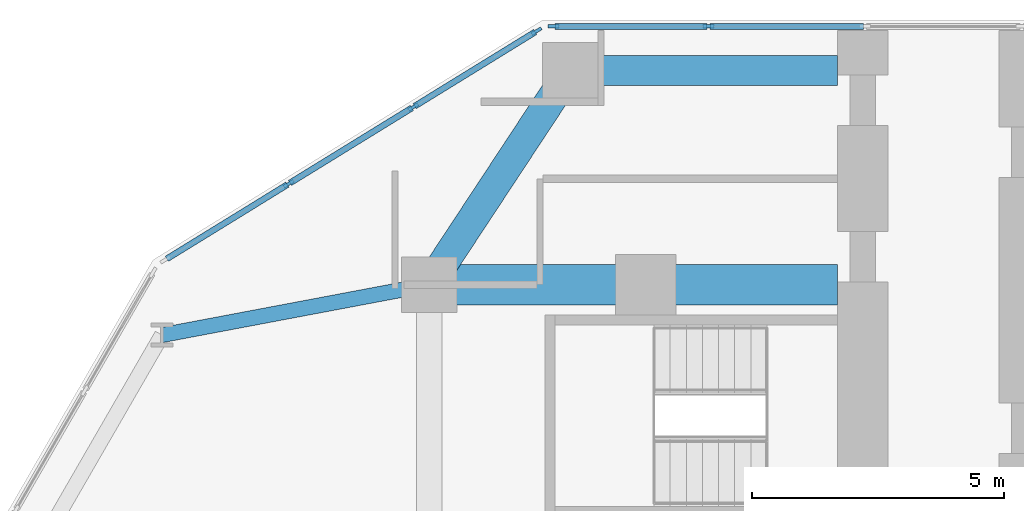
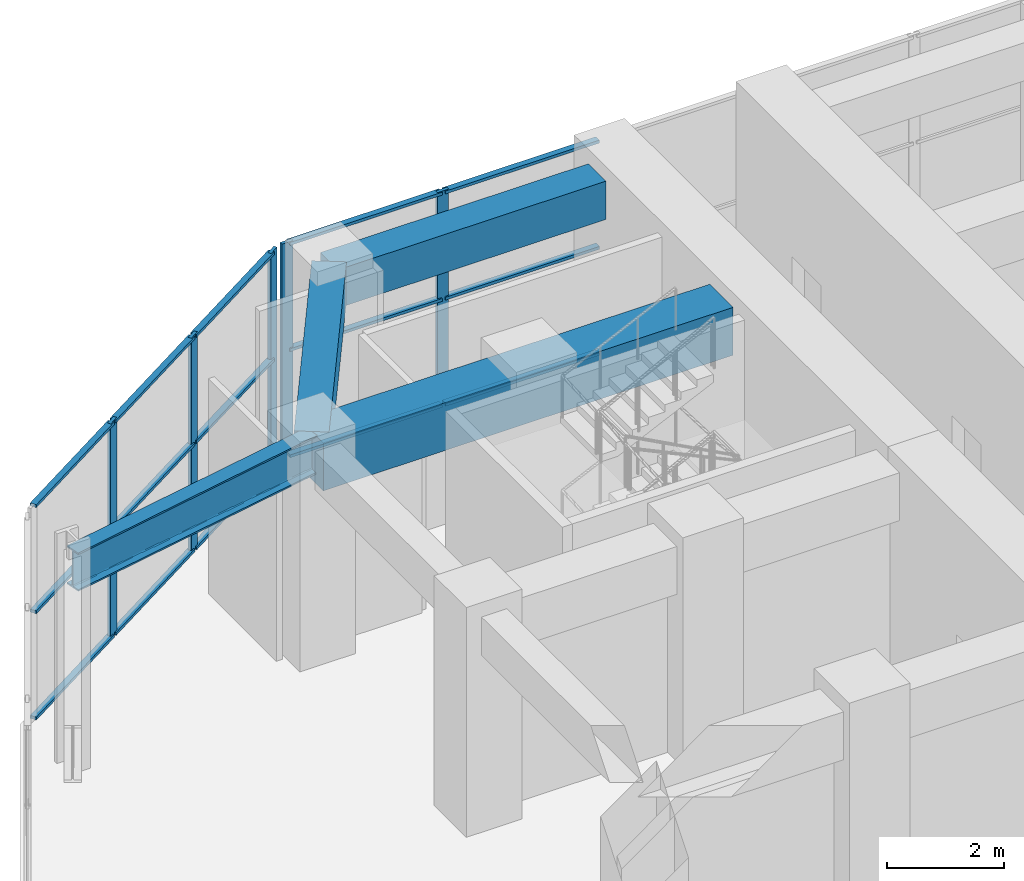
# One storey, part 8 of 21: 20 members, 4 beams, 2 elements without a shape of their own.
"""IFC4 building model written with IfcOpenShell, lengths in metres."""

from ifc_helpers import new_model, si_unit, direction, frame, origin, origin_2d, place, context, subcontext, project, spatial, rectangle, i_section, extrude, material, material_profile, profile_set, type_object, element, aggregate, save


model = new_model("IFC4")

# Units and contexts
model_context = context("Model", 3, precision=1e-05, world=origin(), true_north=direction((0.0, 1.0)))
body_context = subcontext(model_context, "Body", "Model", "MODEL_VIEW")
ifc_project = project(units=[si_unit("LENGTHUNIT", "METRE"), si_unit("AREAUNIT", "SQUARE_METRE"), si_unit("VOLUMEUNIT", "CUBIC_METRE"), si_unit("PLANEANGLEUNIT", "RADIAN"), si_unit("MASSUNIT", "GRAM", prefix="KILO")], contexts=[model_context])

# Site, building, storey
site_placement = place(None, origin())
site = spatial("IfcSite", under=ifc_project, at=site_placement, CompositionType="ELEMENT")
building_placement = place(site_placement, origin())
building = spatial("IfcBuilding", under=site, at=building_placement, Name="Kosmar Iwan School Tower", CompositionType="ELEMENT")
storey_placement = place(building_placement, frame((0.0, 0.0, 6.0)))
storey = spatial("IfcBuildingStorey", under=building, at=storey_placement, Name="L01", CompositionType="ELEMENT", Elevation=6.0)

# Beam
ifc_material_1 = material(Name="Steel S355", Category="steel")
ifc_material_profile_1 = material_profile(ifc_material_1, i_section(OverallWidth=0.300048828125, OverallDepth=0.800048828125, WebThickness=0.017578125, FlangeThickness=0.032958984375, FilletRadius=0.030029296875, at=origin_2d()), Name="HE 800 B")
ifc_profile_set_1 = profile_set([ifc_material_profile_1], Name="Steel S355")
beam_type_1 = type_object("IfcBeamType", Name="Infill edge beam HE 800 B", PredefinedType="BEAM", material=ifc_profile_set_1)
beam_1_placement = place(storey_placement, frame((-15.502197265625, 28.34912109375, 4.10009765625), z_axis=(0.982642984394, 0.185506779446, 0.0), x_axis=(-0.185506779446, 0.982642984394, 0.0)))
element("IfcBeam", 1, at=beam_1_placement, inside=storey, type_object=beam_type_1, Name="Infill edge beam AB5", PredefinedType="BEAM", context=body_context, shape_type="SweptSolid", body=[
    extrude(i_section(OverallWidth=0.300048828125, OverallDepth=0.800048828125, WebThickness=0.017578125, FlangeThickness=0.032958984375, FilletRadius=0.030029296875, at=origin_2d()), origin(), (0.0, 0.0, 1.0), 5.39599609375),
])

# Curtain wall, members
ifc_material_2 = material(Name="Dark glass in black aluminium frame", Category="aluminium")
curtain_wall_type_1 = type_object("IfcCurtainWallType", Name="Tower curtain wall dark glass", PredefinedType="USERDEFINED", material=ifc_material_2)
curtain_wall_1_placement = place(storey_placement, origin())
curtain_wall_1 = element("IfcCurtainWall", 2, at=curtain_wall_1_placement, inside=storey, type_object=curtain_wall_type_1, Name="Curtain wall L01-F06", ObjectType="UNITISED CURTAIN WALL", PredefinedType="USERDEFINED")
ifc_material_3 = material(Name="Black anodised aluminium", Category="aluminium")
ifc_material_profile_2 = material_profile(ifc_material_3, rectangle(XDim=0.06494140625, YDim=0.219970703125, at=origin_2d()), Name="MULLION 65x220")
ifc_profile_set_2 = profile_set([ifc_material_profile_2], Name="Black anodised aluminium")
member_type_1 = type_object("IfcMemberType", Name="Podium mullion 65x220", PredefinedType="MULLION", material=ifc_profile_set_2)
member_1_placement = place(storey_placement, frame((-4.65869140625, 34.47509765625, 0.0), z_axis=(0.0, 0.0, 1.0), x_axis=(0.0, -1.0, 0.0)))
member_1 = element("IfcMember", 3, at=member_1_placement, type_object=member_type_1, Name="CW1 mullion 5", PredefinedType="MULLION", context=body_context, shape_type="SweptSolid", body=[
    extrude(rectangle(XDim=0.06494140625, YDim=0.219970703125, at=origin_2d()), origin(), (0.0, 0.0, 1.0), 4.5),
])
member_2_placement = place(storey_placement, frame((-7.732177734375, 34.47509765625, 0.0), z_axis=(0.0, 0.0, 1.0), x_axis=(0.0, -1.0, 0.0)))
member_2 = element("IfcMember", 4, at=member_2_placement, type_object=member_type_1, Name="CW1 mullion 6", PredefinedType="MULLION", context=body_context, shape_type="SweptSolid", body=[
    extrude(rectangle(XDim=0.06494140625, YDim=0.219970703125, at=origin_2d()), origin(), (0.0, 0.0, 1.0), 4.5),
])

ifc_material_4 = material(Name="Dark glass in black aluminium frame", Category="aluminium")
curtain_wall_type_2 = type_object("IfcCurtainWallType", Name="Podium curtain wall", PredefinedType="USERDEFINED", material=ifc_material_4)
curtain_wall_2_placement = place(storey_placement, origin())
curtain_wall_2 = element("IfcCurtainWall", 5, at=curtain_wall_2_placement, inside=storey, type_object=curtain_wall_type_2, Name="Curtain wall L01-F07", ObjectType="STICK CURTAIN WALL", PredefinedType="USERDEFINED")
member_3_placement = place(storey_placement, frame((-8.070068359375, 34.37939453125, 0.0), z_axis=(0.0, 0.0, 1.0), x_axis=(0.524381722801, -0.851483299186, 0.0)))
member_3 = element("IfcMember", 6, at=member_3_placement, type_object=member_type_1, Name="CW3 mullion 1", PredefinedType="MULLION", context=body_context, shape_type="SweptSolid", body=[
    extrude(rectangle(XDim=0.06494140625, YDim=0.219970703125, at=origin_2d()), origin(), (0.0, 0.0, 1.0), 4.5),
])
member_4_placement = place(storey_placement, frame((-10.515380859375, 32.873291015625, 0.0), z_axis=(0.0, 0.0, 1.0), x_axis=(0.524381722801, -0.851483299186, 0.0)))
member_4 = element("IfcMember", 7, at=member_4_placement, type_object=member_type_1, Name="CW3 mullion 2", PredefinedType="MULLION", context=body_context, shape_type="SweptSolid", body=[
    extrude(rectangle(XDim=0.06494140625, YDim=0.219970703125, at=origin_2d()), origin(), (0.0, 0.0, 1.0), 4.5),
])
member_5_placement = place(storey_placement, frame((-12.988525390625, 31.350341796875, 0.0), z_axis=(0.0, 0.0, 1.0), x_axis=(0.524381722801, -0.851483299186, 0.0)))
member_5 = element("IfcMember", 8, at=member_5_placement, type_object=member_type_1, Name="CW3 mullion 3", PredefinedType="MULLION", context=body_context, shape_type="SweptSolid", body=[
    extrude(rectangle(XDim=0.06494140625, YDim=0.219970703125, at=origin_2d()), origin(), (0.0, 0.0, 1.0), 4.5),
])

# Beams
ifc_material_5 = material(Name="Concrete C50/60", Category="concrete")
ifc_material_profile_3 = material_profile(ifc_material_5, rectangle(XDim=0.60009765625, YDim=0.800048828125, at=origin_2d()), Name="RC 600x800")
ifc_profile_set_3 = profile_set([ifc_material_profile_3], Name="Concrete C50/60")
beam_type_2 = type_object("IfcBeamType", Name="RC tip beam 600x800", PredefinedType="BEAM", material=ifc_profile_set_3)
beam_2_placement = place(storey_placement, frame((-10.199951171875, 29.35009765625, 4.10009765625), z_axis=(0.550164383043, 0.835056376319, 0.0), x_axis=(-0.835056376319, 0.550164383043, 0.0)))
element("IfcBeam", 9, at=beam_2_placement, inside=storey, type_object=beam_type_2, Name="Tip beam AL", PredefinedType="BEAM", context=body_context, shape_type="SweptSolid", body=[
    extrude(rectangle(XDim=0.60009765625, YDim=0.800048828125, at=origin_2d()), origin(), (0.0, 0.0, 1.0), 5.08935546875),
])
beam_3_placement = place(storey_placement, frame((-7.39990234375, 33.60009765625, 4.10009765625), z_axis=(1.0, 0.0, 0.0), x_axis=(0.0, 1.0, 0.0)))
element("IfcBeam", 10, at=beam_3_placement, inside=storey, type_object=beam_type_2, Name="Tip beam AL to corridor wall", PredefinedType="BEAM", context=body_context, shape_type="SweptSolid", body=[
    extrude(rectangle(XDim=0.60009765625, YDim=0.800048828125, at=origin_2d()), origin(), (0.0, 0.0, 1.0), 5.2998046875),
])
ifc_material_6 = material(Name="Concrete C50/60", Category="concrete")
ifc_material_profile_4 = material_profile(ifc_material_6, rectangle(XDim=0.800048828125, YDim=1.0, at=origin_2d()), Name="RC 800x1000")
ifc_profile_set_4 = profile_set([ifc_material_profile_4], Name="Concrete C50/60")
beam_type_3 = type_object("IfcBeamType", Name="RC transverse beam 800x1000", PredefinedType="BEAM", material=ifc_profile_set_4)
beam_4_placement = place(storey_placement, frame((-10.199951171875, 29.35009765625, 4.0), z_axis=(1.0, 0.0, 0.0), x_axis=(0.0, 1.0, 0.0)))
element("IfcBeam", 11, at=beam_4_placement, inside=storey, type_object=beam_type_3, Name="Transverse beam AL4", PredefinedType="BEAM", context=body_context, shape_type="SweptSolid", body=[
    extrude(rectangle(XDim=0.800048828125, YDim=1.0, at=origin_2d()), origin(), (0.0, 0.0, 1.0), 8.099853515625),
])

# Member
ifc_material_7 = material(Name="Black anodised aluminium", Category="aluminium")
ifc_material_profile_5 = material_profile(ifc_material_7, rectangle(XDim=0.1201171875, YDim=0.06005859375, at=origin_2d()), Name="TRANSOM 60x120")
ifc_profile_set_5 = profile_set([ifc_material_profile_5], Name="Black anodised aluminium")
member_type_2 = type_object("IfcMemberType", Name="Transom 60x120", PredefinedType="USERDEFINED", material=ifc_profile_set_5)
member_6_placement = place(storey_placement, frame((-1.58544921875, 34.47509765625, 0.030029296875), z_axis=(-1.0, 0.0, 0.0), x_axis=(0.0, -1.0, 0.0)))
member_6 = element("IfcMember", 12, at=member_6_placement, type_object=member_type_2, Name="CW1 transom 4.1", ObjectType="TRANSOM", PredefinedType="USERDEFINED", context=body_context, shape_type="SweptSolid", body=[
    extrude(rectangle(XDim=0.1201171875, YDim=0.06005859375, at=origin_2d()), origin(), (0.0, 0.0, 1.0), 3.040771484375),
])

member_7_placement = place(storey_placement, frame((-1.58544921875, 34.47509765625, 2.25), z_axis=(-1.0, 0.0, 0.0), x_axis=(0.0, -1.0, 0.0)))
member_7 = element("IfcMember", 13, at=member_7_placement, type_object=member_type_2, Name="CW1 transom 4.2", ObjectType="TRANSOM", PredefinedType="USERDEFINED", context=body_context, shape_type="SweptSolid", body=[
    extrude(rectangle(XDim=0.1201171875, YDim=0.06005859375, at=origin_2d()), origin(), (0.0, 0.0, 1.0), 3.040771484375),
])

member_8_placement = place(storey_placement, frame((-1.58544921875, 34.47509765625, 4.469970703125), z_axis=(-1.0, 0.0, 0.0), x_axis=(0.0, -1.0, 0.0)))
member_8 = element("IfcMember", 14, at=member_8_placement, type_object=member_type_2, Name="CW1 transom 4.3", ObjectType="TRANSOM", PredefinedType="USERDEFINED", context=body_context, shape_type="SweptSolid", body=[
    extrude(rectangle(XDim=0.1201171875, YDim=0.06005859375, at=origin_2d()), origin(), (0.0, 0.0, 1.0), 3.040771484375),
])

member_9_placement = place(storey_placement, frame((-4.691162109375, 34.47509765625, 0.030029296875), z_axis=(-1.0, 0.0, 0.0), x_axis=(0.0, -1.0, 0.0)))
member_9 = element("IfcMember", 15, at=member_9_placement, type_object=member_type_2, Name="CW1 transom 5.1", ObjectType="TRANSOM", PredefinedType="USERDEFINED", context=body_context, shape_type="SweptSolid", body=[
    extrude(rectangle(XDim=0.1201171875, YDim=0.06005859375, at=origin_2d()), origin(), (0.0, 0.0, 1.0), 3.008544921875),
])

member_10_placement = place(storey_placement, frame((-4.691162109375, 34.47509765625, 2.25), z_axis=(-1.0, 0.0, 0.0), x_axis=(0.0, -1.0, 0.0)))
member_10 = element("IfcMember", 16, at=member_10_placement, type_object=member_type_2, Name="CW1 transom 5.2", ObjectType="TRANSOM", PredefinedType="USERDEFINED", context=body_context, shape_type="SweptSolid", body=[
    extrude(rectangle(XDim=0.1201171875, YDim=0.06005859375, at=origin_2d()), origin(), (0.0, 0.0, 1.0), 3.008544921875),
])

member_11_placement = place(storey_placement, frame((-4.691162109375, 34.47509765625, 4.469970703125), z_axis=(-1.0, 0.0, 0.0), x_axis=(0.0, -1.0, 0.0)))
member_11 = element("IfcMember", 17, at=member_11_placement, type_object=member_type_2, Name="CW1 transom 5.3", ObjectType="TRANSOM", PredefinedType="USERDEFINED", context=body_context, shape_type="SweptSolid", body=[
    extrude(rectangle(XDim=0.1201171875, YDim=0.06005859375, at=origin_2d()), origin(), (0.0, 0.0, 1.0), 3.008544921875),
])

aggregate(curtain_wall_1, [member_1, member_2, member_6, member_7, member_8, member_9, member_10, member_11])

member_12_placement = place(storey_placement, frame((-8.09765625, 34.3623046875, 0.030029296875), z_axis=(-0.851488054059, -0.52437400183, 0.0), x_axis=(0.52437400183, -0.851488054059, 0.0)))
member_12 = element("IfcMember", 18, at=member_12_placement, type_object=member_type_2, Name="CW3 transom 1.1", ObjectType="TRANSOM", PredefinedType="USERDEFINED", context=body_context, shape_type="SweptSolid", body=[
    extrude(rectangle(XDim=0.1201171875, YDim=0.06005859375, at=origin_2d()), origin(), (0.0, 0.0, 1.0), 2.80712890625),
])

member_13_placement = place(storey_placement, frame((-8.09765625, 34.3623046875, 2.25), z_axis=(-0.851488054059, -0.52437400183, 0.0), x_axis=(0.52437400183, -0.851488054059, 0.0)))
member_13 = element("IfcMember", 19, at=member_13_placement, type_object=member_type_2, Name="CW3 transom 1.2", ObjectType="TRANSOM", PredefinedType="USERDEFINED", context=body_context, shape_type="SweptSolid", body=[
    extrude(rectangle(XDim=0.1201171875, YDim=0.06005859375, at=origin_2d()), origin(), (0.0, 0.0, 1.0), 2.80712890625),
])

member_14_placement = place(storey_placement, frame((-8.09765625, 34.3623046875, 4.469970703125), z_axis=(-0.851488054059, -0.52437400183, 0.0), x_axis=(0.52437400183, -0.851488054059, 0.0)))
member_14 = element("IfcMember", 20, at=member_14_placement, type_object=member_type_2, Name="CW3 transom 1.3", ObjectType="TRANSOM", PredefinedType="USERDEFINED", context=body_context, shape_type="SweptSolid", body=[
    extrude(rectangle(XDim=0.1201171875, YDim=0.06005859375, at=origin_2d()), origin(), (0.0, 0.0, 1.0), 2.80712890625),
])

member_15_placement = place(storey_placement, frame((-10.54296875, 32.856201171875, 0.030029296875), z_axis=(-0.85151066898, -0.524337277536, 0.0), x_axis=(0.524337277536, -0.85151066898, 0.0)))
member_15 = element("IfcMember", 21, at=member_15_placement, type_object=member_type_2, Name="CW3 transom 2.1", ObjectType="TRANSOM", PredefinedType="USERDEFINED", context=body_context, shape_type="SweptSolid", body=[
    extrude(rectangle(XDim=0.1201171875, YDim=0.06005859375, at=origin_2d()), origin(), (0.0, 0.0, 1.0), 2.83935546875),
])

member_16_placement = place(storey_placement, frame((-10.54296875, 32.856201171875, 2.25), z_axis=(-0.85151066898, -0.524337277536, 0.0), x_axis=(0.524337277536, -0.85151066898, 0.0)))
member_16 = element("IfcMember", 22, at=member_16_placement, type_object=member_type_2, Name="CW3 transom 2.2", ObjectType="TRANSOM", PredefinedType="USERDEFINED", context=body_context, shape_type="SweptSolid", body=[
    extrude(rectangle(XDim=0.1201171875, YDim=0.06005859375, at=origin_2d()), origin(), (0.0, 0.0, 1.0), 2.83935546875),
])

member_17_placement = place(storey_placement, frame((-10.54296875, 32.856201171875, 4.469970703125), z_axis=(-0.85151066898, -0.524337277536, 0.0), x_axis=(0.524337277536, -0.85151066898, 0.0)))
member_17 = element("IfcMember", 23, at=member_17_placement, type_object=member_type_2, Name="CW3 transom 2.3", ObjectType="TRANSOM", PredefinedType="USERDEFINED", context=body_context, shape_type="SweptSolid", body=[
    extrude(rectangle(XDim=0.1201171875, YDim=0.06005859375, at=origin_2d()), origin(), (0.0, 0.0, 1.0), 2.83935546875),
])

member_18_placement = place(storey_placement, frame((-13.01611328125, 31.333251953125, 0.030029296875), z_axis=(-0.851488054059, -0.52437400183, 0.0), x_axis=(0.52437400183, -0.851488054059, 0.0)))
member_18 = element("IfcMember", 24, at=member_18_placement, type_object=member_type_2, Name="CW3 transom 3.1", ObjectType="TRANSOM", PredefinedType="USERDEFINED", context=body_context, shape_type="SweptSolid", body=[
    extrude(rectangle(XDim=0.1201171875, YDim=0.06005859375, at=origin_2d()), origin(), (0.0, 0.0, 1.0), 2.80712890625),
])

member_19_placement = place(storey_placement, frame((-13.01611328125, 31.333251953125, 2.25), z_axis=(-0.851488054059, -0.52437400183, 0.0), x_axis=(0.52437400183, -0.851488054059, 0.0)))
member_19 = element("IfcMember", 25, at=member_19_placement, type_object=member_type_2, Name="CW3 transom 3.2", ObjectType="TRANSOM", PredefinedType="USERDEFINED", context=body_context, shape_type="SweptSolid", body=[
    extrude(rectangle(XDim=0.1201171875, YDim=0.06005859375, at=origin_2d()), origin(), (0.0, 0.0, 1.0), 2.80712890625),
])

member_20_placement = place(storey_placement, frame((-13.01611328125, 31.333251953125, 4.469970703125), z_axis=(-0.851488054059, -0.52437400183, 0.0), x_axis=(0.52437400183, -0.851488054059, 0.0)))
member_20 = element("IfcMember", 26, at=member_20_placement, type_object=member_type_2, Name="CW3 transom 3.3", ObjectType="TRANSOM", PredefinedType="USERDEFINED", context=body_context, shape_type="SweptSolid", body=[
    extrude(rectangle(XDim=0.1201171875, YDim=0.06005859375, at=origin_2d()), origin(), (0.0, 0.0, 1.0), 2.80712890625),
])

aggregate(curtain_wall_2, [member_3, member_4, member_5, member_12, member_13, member_14, member_15, member_16, member_17, member_18, member_19, member_20])

save(model, "model.ifc")
